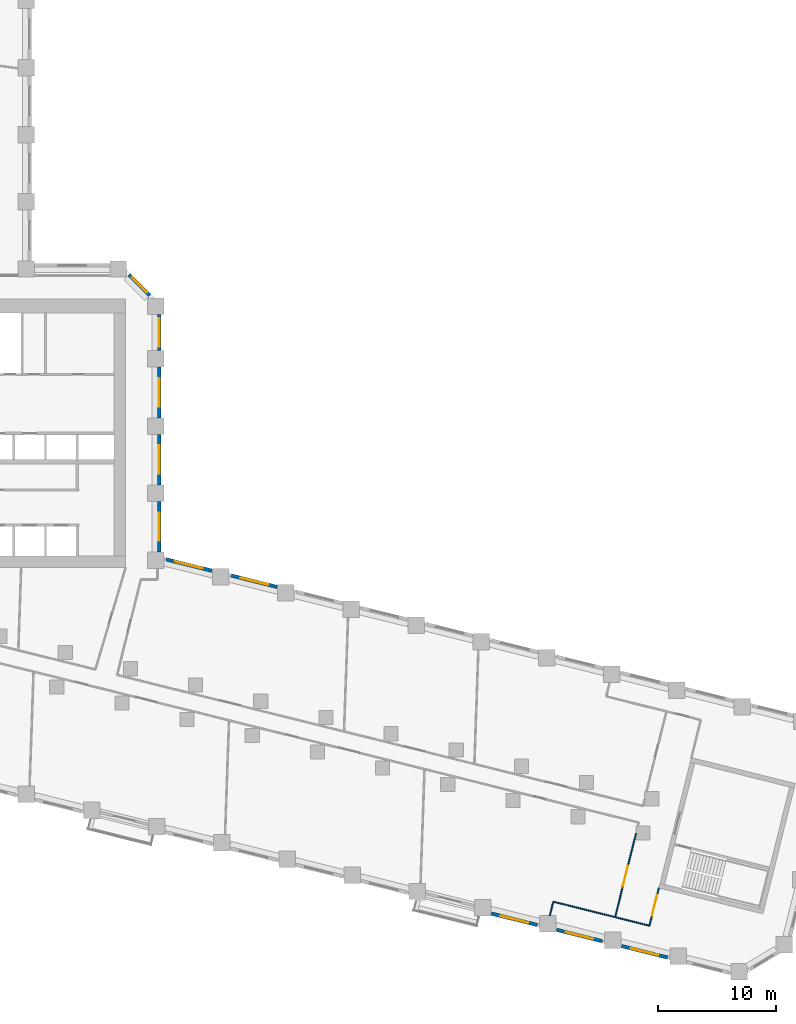
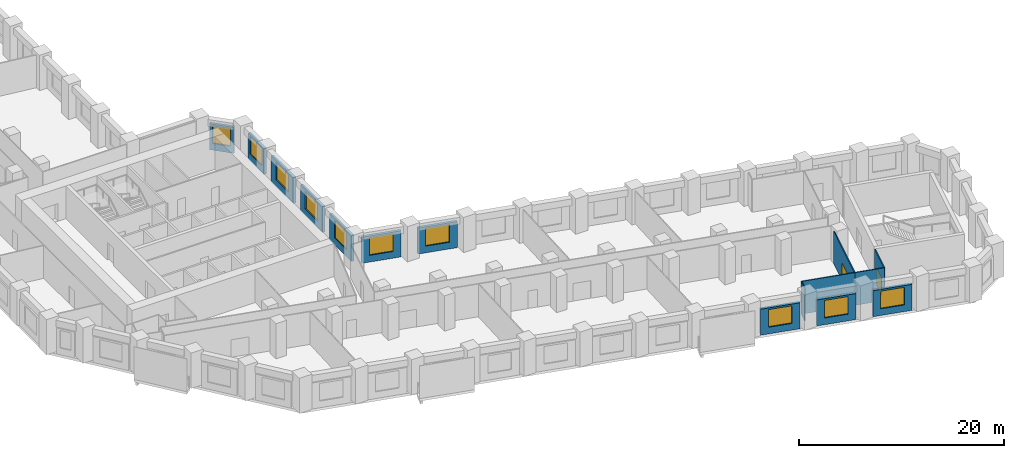
# One storey, part 6 of 11: 15 walls, 10 windows, 2 doors, 12 openings.
"""IFC4 building model written with IfcOpenShell, lengths in metres."""

import ifcopenshell
import ifcopenshell.guid

model = None  # the IFC model being written
_history = None  # IfcOwnerHistory: only IFC2X3 demands one
_inside = {}  # id of a spatial element -> (the spatial element, [elements in it])
_under = {}  # id of a project, library or spatial element -> (it, [spatial elements below it])
_declared = {}  # id of a project -> (the project, [libraries it declares])
_typed = {}  # id of a type object -> (the type object, [elements of that type])
_made_of = {}  # id of a material, layer set ... -> (it, [elements and type objects made of it])


def new_model(schema):
    """Start an empty IFC model of exactly this schema.

    Asked for "IFC4X3", IfcOpenShell would pick the latest addendum, in which some entities
    have other attributes; the version numbers below select the first issue.
    IFC2X3 requires an IfcOwnerHistory on every rooted entity: one is made here for all.
    """
    global model, _history
    if schema == "IFC4X3":
        model = ifcopenshell.file(schema_version=(4, 3, 0, 0))
    else:
        model = ifcopenshell.file(schema=schema)
    _inside.clear()
    _under.clear()
    _declared.clear()
    _typed.clear()
    _made_of.clear()
    _history = None
    if model.schema == "IFC2X3":
        org = make("IfcOrganization", Name="unknown")
        user = make(
            "IfcPersonAndOrganization",
            ThePerson=make("IfcPerson", FamilyName="unknown"),
            TheOrganization=org,
        )
        app = make(
            "IfcApplication",
            ApplicationDeveloper=org,
            Version="unknown",
            ApplicationFullName="unknown",
            ApplicationIdentifier="unknown",
        )
        _history = make(
            "IfcOwnerHistory",
            OwningUser=user,
            OwningApplication=app,
            ChangeAction="ADDED",
            CreationDate=0,
        )
    return model


def make(cls, **values):
    """One entity of the class cls with the attributes given. An attribute that is None is left unset."""
    return model.create_entity(
        cls, **{name: value for name, value in values.items() if value is not None}
    )


def rooted(cls, **values):
    """An entity with a GlobalId (a new one), such as an element, a storey or a relation."""
    return make(cls, GlobalId=ifcopenshell.guid.new(), OwnerHistory=_history, **values)


def si_unit(unit_type, name, prefix=None):
    """IfcSIUnit, for example si_unit("LENGTHUNIT", "METRE", prefix="MILLI")."""
    return make("IfcSIUnit", UnitType=unit_type, Prefix=prefix, Name=name)


def assignment(units):
    """IfcUnitAssignment: the units of a project."""
    return None if units is None else make("IfcUnitAssignment", Units=units)


def point(xyz):
    """IfcCartesianPoint."""
    return None if xyz is None else make("IfcCartesianPoint", Coordinates=xyz)


def direction(xyz):
    """IfcDirection."""
    return None if xyz is None else make("IfcDirection", DirectionRatios=xyz)


def frame(location, z_axis=None, x_axis=None):
    """IfcAxis2Placement3D, a coordinate frame: its origin and axes. An axis left out is left unset."""
    return make(
        "IfcAxis2Placement3D",
        Location=point(location),
        Axis=direction(z_axis),
        RefDirection=direction(x_axis),
    )


def frame_2d(location, x_axis=None):
    """IfcAxis2Placement2D, a coordinate frame in the plane: its origin and x axis."""
    return make(
        "IfcAxis2Placement2D", Location=point(location), RefDirection=direction(x_axis)
    )


def origin():
    """The frame at (0, 0, 0) with its axes left unset."""
    return frame((0.0, 0.0, 0.0))


def place(relative_to, where):
    """IfcLocalPlacement: puts the frame where relative to a parent placement (None: the world)."""
    return make(
        "IfcLocalPlacement", PlacementRelTo=relative_to, RelativePlacement=where
    )


def context(
    kind, dimensions, precision=None, world=None, true_north=None, identifier=None
):
    """IfcGeometricRepresentationContext, for example the 3D "Model" context."""
    return make(
        "IfcGeometricRepresentationContext",
        ContextIdentifier=identifier,
        ContextType=kind,
        CoordinateSpaceDimension=dimensions,
        Precision=precision,
        WorldCoordinateSystem=world,
        TrueNorth=true_north,
    )


def subcontext(parent, identifier, kind, view, scale=None):
    """IfcGeometricRepresentationSubContext, for example "Body" below "Model"."""
    return make(
        "IfcGeometricRepresentationSubContext",
        ContextIdentifier=identifier,
        ContextType=kind,
        ParentContext=parent,
        TargetScale=scale,
        TargetView=view,
    )


def project(units=None, contexts=None):
    """IfcProject with its units and contexts."""
    return rooted(
        "IfcProject",
        Name="project",
        RepresentationContexts=contexts,
        UnitsInContext=assignment(units),
    )


def spatial(cls, under=None, at=None, **own):
    """A site, building, storey or space (cls), placed at a placement, below another one or the project."""
    s = rooted(cls, ObjectPlacement=at, **own)
    if under is not None:
        _under.setdefault(under.id(), (under, []))[1].append(s)
    return s


def profile(cls, at=None, kind="AREA", **sizes):
    """A parametric profile (cls). Its sizes go by their IFC names, for example OverallWidth=200.0."""
    return make(cls, ProfileType=kind, Position=at, **sizes)


def rectangle(**sizes):
    """IfcRectangleProfileDef."""
    return profile("IfcRectangleProfileDef", **sizes)


def extrude(swept, where, along, depth):
    """IfcExtrudedAreaSolid: the profile swept, set in the frame where, extruded along a direction by depth."""
    return make(
        "IfcExtrudedAreaSolid",
        SweptArea=swept,
        Position=where,
        ExtrudedDirection=direction(along),
        Depth=depth,
    )


def shape(context_of_items, identifier, shape_type, items):
    """IfcShapeRepresentation: the items that make up one representation, for example the "Body"."""
    return make(
        "IfcShapeRepresentation",
        ContextOfItems=context_of_items,
        RepresentationIdentifier=identifier,
        RepresentationType=shape_type,
        Items=items,
    )


def material(Name=None, Category=None):
    """IfcMaterial."""
    return make("IfcMaterial", Name=Name, Category=Category)


def layer(
    of_material, thickness, ventilated=None, Name=None, Category=None, Priority=None
):
    """IfcMaterialLayer: one layer of a wall or slab, of a material (None: an air gap)."""
    return make(
        "IfcMaterialLayer",
        Material=of_material,
        LayerThickness=thickness,
        IsVentilated=ventilated,
        Name=Name,
        Category=Category,
        Priority=Priority,
    )


def layer_set(layers, Name=None):
    """IfcMaterialLayerSet."""
    return make("IfcMaterialLayerSet", MaterialLayers=layers, LayerSetName=Name)


def made_of(thing, what):
    """Note that an element or type object is made of a material, layer set ...; save() writes the relation."""
    if what is not None:
        _made_of.setdefault(what.id(), (what, []))[1].append(thing)
    return thing


def type_object(cls, material=None, **own):
    """A type object (cls), such as IfcWallType, which elements share."""
    return made_of(rooted(cls, **own), material)


def element(
    cls,
    number,
    at=None,
    inside=None,
    cuts=None,
    type_object=None,
    material=None,
    context=None,
    identifier="Body",
    shape_type=None,
    held_by="IfcProductDefinitionShape",
    body=None,
    shapes=None,
    **own,
):
    """One element of the class cls, such as IfcWall. Its Tag is "e" and its number.

    at: its placement. inside: the storey or other place that contains it. cuts: it is an
    opening in that element (IfcRelVoidsElement). A single representation is given by context,
    identifier, shape_type and body (its items); several are given by shapes. held_by: the class
    of the entity that holds the representations. save() writes the other relations.
    """
    e = rooted(cls, Tag="e%d" % number, ObjectPlacement=at, **own)
    if body is not None:
        shapes = [shape(context, identifier, shape_type, body)]
    if shapes is not None:
        e.Representation = make(held_by, Representations=shapes)
    if inside is not None:
        _inside.setdefault(inside.id(), (inside, []))[1].append(e)
    if cuts is not None:
        rooted(
            "IfcRelVoidsElement", RelatingBuildingElement=cuts, RelatedOpeningElement=e
        )
    if type_object is not None:
        _typed.setdefault(type_object.id(), (type_object, []))[1].append(e)
    return made_of(e, material)


def fill(opening, filler):
    """IfcRelFillsElement: the door or window that sits in an opening."""
    return rooted(
        "IfcRelFillsElement",
        RelatingOpeningElement=opening,
        RelatedBuildingElement=filler,
    )


def aggregate(whole, parts):
    """IfcRelAggregates: a whole, such as a stair, and the parts it consists of."""
    return rooted("IfcRelAggregates", RelatingObject=whole, RelatedObjects=parts)


def save(model, path):
    """Write the relations noted so far, then the file.

    IfcRelAggregates (storeys below a building ...), IfcRelContainedInSpatialStructure (elements
    in a storey), IfcRelDefinesByType, IfcRelAssociatesMaterial and IfcRelDeclares: one each for
    every whole, place, type object, material and project.
    """
    for whole, parts in _under.values():
        aggregate(whole, parts)
    for where, things in _inside.values():
        rooted(
            "IfcRelContainedInSpatialStructure",
            RelatedElements=things,
            RelatingStructure=where,
        )
    for kind, things in _typed.values():
        rooted("IfcRelDefinesByType", RelatedObjects=things, RelatingType=kind)
    for what, things in _made_of.values():
        rooted("IfcRelAssociatesMaterial", RelatedObjects=things, RelatingMaterial=what)
    for by, libraries in _declared.values():
        rooted("IfcRelDeclares", RelatingContext=by, RelatedDefinitions=libraries)
    model.write(path)


model = new_model("IFC4")

# Units and contexts
model_context = context("Model", 3, precision=1e-05, world=origin(), true_north=direction((0.0, 1.0)))
body_context = subcontext(model_context, "Body", "Model", "MODEL_VIEW")
ifc_project = project(units=[si_unit("LENGTHUNIT", "METRE"), si_unit("AREAUNIT", "SQUARE_METRE"), si_unit("VOLUMEUNIT", "CUBIC_METRE"), si_unit("PLANEANGLEUNIT", "RADIAN"), si_unit("MASSUNIT", "GRAM", prefix="KILO")], contexts=[model_context])

# Site, building, storey
site_placement = place(None, origin())
site = spatial("IfcSite", under=ifc_project, at=site_placement, CompositionType="ELEMENT")
building_placement = place(site_placement, origin())
building = spatial("IfcBuilding", under=site, at=building_placement, Name="Meshkara Civic Tower", CompositionType="ELEMENT")
storey_placement = place(building_placement, frame((0.0, 0.0, 79.199951171875)))
storey = spatial("IfcBuildingStorey", under=building, at=storey_placement, Name="L17", CompositionType="ELEMENT", Elevation=79.199951171875)

# Wall
ifc_material_1 = material(Name="Corridor wall 100")
ifc_layer_1 = layer(ifc_material_1, 0.10009765625)
ifc_layer_set_1 = layer_set([ifc_layer_1], Name="Corridor wall 100")
wall_type_1 = type_object("IfcWallType", Name="Corridor wall 100", PredefinedType="PARTITIONING", material=ifc_layer_set_1)
wall_1_placement = place(storey_placement, frame((72.35302734375, -15.56591796875, 0.0), z_axis=(0.0, 0.0, 1.0), x_axis=(0.970271610033, -0.242018600037, 0.0)))
element("IfcWall", 1, at=wall_1_placement, inside=storey, type_object=wall_type_1, Name="L17-W025", PredefinedType="PARTITIONING", context=body_context, shape_type="SweptSolid", body=[
    extrude(rectangle(XDim=3.0, YDim=0.10009765625, at=frame_2d((1.5, 0.0))), origin(), (0.0, 0.0, 1.0), 3.900146484375),
])

# Wall, opening, door
wall_2_placement = place(storey_placement, frame((74.131103515625, -8.43701171875, 0.0), z_axis=(0.0, 0.0, 1.0), x_axis=(-0.242003930935, -0.970275268886, 0.0)))
wall_2 = element("IfcWall", 2, at=wall_2_placement, inside=storey, type_object=wall_type_1, Name="L17-W026", PredefinedType="PARTITIONING", context=body_context, shape_type="SweptSolid", body=[
    extrude(rectangle(XDim=7.347412109375, YDim=0.10009765625, at=frame_2d((3.673828125, 0.0))), origin(), (0.0, 0.0, 1.0), 3.900146484375),
])
opening_1_placement = place(wall_2_placement, frame((2.8798828125, 0.0, 0.0)))
opening_1 = element("IfcOpeningElement", 3, at=opening_1_placement, cuts=wall_2, Name="Opening L17-D001", PredefinedType="OPENING", context=body_context, shape_type="SweptSolid", body=[
    extrude(rectangle(XDim=1.800048828125, YDim=2.10009765625, at=frame_2d((0.89990234375, 1.050048828125))), frame((0.0, 0.06005859375, 0.0), z_axis=(0.0, -1.0, 0.0), x_axis=(1.0, 0.0, 0.0)), (0.0, 0.0, 1.0), 0.1201171875),
])
ifc_material_2 = material(Name="Door pair 1800 x 2100")
door_type = type_object("IfcDoorType", Name="Door pair 1800 x 2100", OperationType="SINGLE_SWING_LEFT", PredefinedType="DOOR", material=ifc_material_2)
door_1_placement = place(opening_1_placement, origin())
door_1 = element("IfcDoor", 4, at=door_1_placement, inside=storey, type_object=door_type, Name="L17-D001", OperationType="DOUBLE_DOOR_SINGLE_SWING", OverallHeight=2.10009765625, OverallWidth=1.800048828125, PredefinedType="DOOR", context=body_context, shape_type="SweptSolid", body=[
    extrude(rectangle(XDim=1.800048828125, YDim=2.10009765625, at=frame_2d((0.89990234375, 1.050048828125))), frame((0.0, 0.02490234375, 0.0), z_axis=(0.0, -1.0, 0.0), x_axis=(1.0, 0.0, 0.0)), (0.0, 0.0, 1.0), 0.050048828125),
])
fill(opening_1, door_1)

wall_3_placement = place(storey_placement, frame((75.263916015625, -16.2919921875, 0.0), z_axis=(0.0, 0.0, 1.0), x_axis=(0.242135244173, 0.970242507587, 0.0)))
wall_3 = element("IfcWall", 5, at=wall_3_placement, inside=storey, type_object=wall_type_1, Name="L17-W029", PredefinedType="PARTITIONING", context=body_context, shape_type="SweptSolid", body=[
    extrude(rectangle(XDim=3.300048828125, YDim=0.10009765625, at=frame_2d((1.64990234375, 0.0))), origin(), (0.0, 0.0, 1.0), 3.900146484375),
])
opening_2_placement = place(wall_3_placement, frame((0.8798828125, 0.0, 0.0)))
opening_2 = element("IfcOpeningElement", 6, at=opening_2_placement, cuts=wall_3, Name="Opening L17-D002", PredefinedType="OPENING", context=body_context, shape_type="SweptSolid", body=[
    extrude(rectangle(XDim=1.800048828125, YDim=2.10009765625, at=frame_2d((0.89990234375, 1.050048828125))), frame((0.0, 0.06005859375, 0.0), z_axis=(0.0, -1.0, 0.0), x_axis=(1.0, 0.0, 0.0)), (0.0, 0.0, 1.0), 0.1201171875),
])
door_2_placement = place(opening_2_placement, origin())
door_2 = element("IfcDoor", 7, at=door_2_placement, inside=storey, type_object=door_type, Name="L17-D002", OperationType="DOUBLE_DOOR_SINGLE_SWING", OverallHeight=2.10009765625, OverallWidth=1.800048828125, PredefinedType="DOOR", context=body_context, shape_type="SweptSolid", body=[
    extrude(rectangle(XDim=1.800048828125, YDim=2.10009765625, at=frame_2d((0.89990234375, 1.050048828125))), frame((0.0, 0.02490234375, 0.0), z_axis=(0.0, -1.0, 0.0), x_axis=(1.0, 0.0, 0.0)), (0.0, 0.0, 1.0), 0.050048828125),
])
fill(opening_2, door_2)

# Wall, opening, window
ifc_material_3 = material(Name="Insulated infill panel with bronze anodised aluminium cladding", Category="aluminium")
ifc_layer_2 = layer(ifc_material_3, 0.300048828125)
ifc_layer_set_2 = layer_set([ifc_layer_2], Name="EXTERNAL INFILL WALL 300")
wall_type_2 = type_object("IfcWallType", Name="EXTERNAL INFILL WALL 300", PredefinedType="SOLIDWALL", material=ifc_layer_set_2)
wall_4_placement = place(storey_placement, frame((43.659912109375, 12.4580078125, 0.0), z_axis=(0.0, 0.0, 1.0), x_axis=(-0.970300202301, 0.241903942538, 0.0)))
wall_4 = element("IfcWall", 8, at=wall_4_placement, inside=storey, type_object=wall_type_2, Name="External wall", PredefinedType="SOLIDWALL", context=body_context, shape_type="SweptSolid", body=[
    extrude(rectangle(XDim=4.001708984375, YDim=0.300048828125, at=frame_2d((2.0009765625, 0.0))), origin(), (0.0, 0.0, 1.0), 3.10009765625),
])
opening_3_placement = place(wall_4_placement, frame((0.801025390625, 0.0, 0.800048828125)))
opening_3 = element("IfcOpeningElement", 9, at=opening_3_placement, cuts=wall_4, Name="Opening W7", PredefinedType="OPENING", context=body_context, shape_type="SweptSolid", body=[
    extrude(rectangle(XDim=2.39990234375, YDim=2.10009765625, at=frame_2d((1.199951171875, 1.050048828125))), frame((0.0, 0.159912109375, 0.0), z_axis=(0.0, -1.0, 0.0), x_axis=(1.0, 0.0, 0.0)), (0.0, 0.0, 1.0), 0.320068359375),
])
ifc_material_4 = material(Name="Tinted double glazing", Category="glass")
window_type_1 = type_object("IfcWindowType", Name="WINDOW 2400x2100", PartitioningType="DOUBLE_PANEL_VERTICAL", PredefinedType="WINDOW", material=ifc_material_4)
window_1_placement = place(opening_3_placement, origin())
window_1 = element("IfcWindow", 10, at=window_1_placement, inside=storey, type_object=window_type_1, Name="Window", OverallHeight=2.10009765625, OverallWidth=2.39990234375, PartitioningType="DOUBLE_PANEL_VERTICAL", PredefinedType="WINDOW", context=body_context, shape_type="SweptSolid", body=[
    extrude(rectangle(XDim=2.39990234375, YDim=2.10009765625, at=frame_2d((1.199951171875, 1.050048828125))), frame((0.0, 0.030029296875, 0.0), z_axis=(0.0, -1.0, 0.0), x_axis=(1.0, 0.0, 0.0)), (0.0, 0.0, 1.0), 0.06005859375),
])
fill(opening_3, window_1)

wall_5_placement = place(storey_placement, frame((38.1298828125, 13.8369140625, 0.0), z_axis=(0.0, 0.0, 1.0), x_axis=(-0.970314477803, 0.241846674911, 0.0)))
wall_5 = element("IfcWall", 11, at=wall_5_placement, inside=storey, type_object=wall_type_2, Name="External wall", PredefinedType="SOLIDWALL", context=body_context, shape_type="SweptSolid", body=[
    extrude(rectangle(XDim=4.002685546875, YDim=0.300048828125, at=frame_2d((2.00146484375, 0.0))), origin(), (0.0, 0.0, 1.0), 3.10009765625),
])
opening_4_placement = place(wall_5_placement, frame((0.802001953125, 0.0, 0.800048828125)))
opening_4 = element("IfcOpeningElement", 12, at=opening_4_placement, cuts=wall_5, Name="Opening W7", PredefinedType="OPENING", context=body_context, shape_type="SweptSolid", body=[
    extrude(rectangle(XDim=2.39990234375, YDim=2.10009765625, at=frame_2d((1.199951171875, 1.050048828125))), frame((0.0, 0.159912109375, 0.0), z_axis=(0.0, -1.0, 0.0), x_axis=(1.0, 0.0, 0.0)), (0.0, 0.0, 1.0), 0.320068359375),
])
window_2_placement = place(opening_4_placement, origin())
window_2 = element("IfcWindow", 13, at=window_2_placement, inside=storey, type_object=window_type_1, Name="Window", OverallHeight=2.10009765625, OverallWidth=2.39990234375, PartitioningType="DOUBLE_PANEL_VERTICAL", PredefinedType="WINDOW", context=body_context, shape_type="SweptSolid", body=[
    extrude(rectangle(XDim=2.39990234375, YDim=2.10009765625, at=frame_2d((1.199951171875, 1.050048828125))), frame((0.0, 0.030029296875, 0.0), z_axis=(0.0, -1.0, 0.0), x_axis=(1.0, 0.0, 0.0)), (0.0, 0.0, 1.0), 0.06005859375),
])
fill(opening_4, window_2)

wall_6_placement = place(storey_placement, frame((33.64990234375, 15.4189453125, 0.0), z_axis=(0.0, 0.0, 1.0), x_axis=(0.0, 1.0, 0.0)))
wall_6 = element("IfcWall", 14, at=wall_6_placement, inside=storey, type_object=wall_type_2, Name="External wall", PredefinedType="SOLIDWALL", context=body_context, shape_type="SweptSolid", body=[
    extrude(rectangle(XDim=4.300048828125, YDim=0.300048828125, at=frame_2d((2.14990234375, 0.0))), origin(), (0.0, 0.0, 1.0), 3.10009765625),
])
opening_5_placement = place(wall_6_placement, frame((0.949951171875, 0.0, 0.800048828125)))
opening_5 = element("IfcOpeningElement", 15, at=opening_5_placement, cuts=wall_6, Name="Opening W7", PredefinedType="OPENING", context=body_context, shape_type="SweptSolid", body=[
    extrude(rectangle(XDim=2.39990234375, YDim=2.10009765625, at=frame_2d((1.199951171875, 1.050048828125))), frame((0.0, 0.159912109375, 0.0), z_axis=(0.0, -1.0, 0.0), x_axis=(1.0, 0.0, 0.0)), (0.0, 0.0, 1.0), 0.320068359375),
])
window_3_placement = place(opening_5_placement, origin())
window_3 = element("IfcWindow", 16, at=window_3_placement, inside=storey, type_object=window_type_1, Name="Window", OverallHeight=2.10009765625, OverallWidth=2.39990234375, PartitioningType="DOUBLE_PANEL_VERTICAL", PredefinedType="WINDOW", context=body_context, shape_type="SweptSolid", body=[
    extrude(rectangle(XDim=2.39990234375, YDim=2.10009765625, at=frame_2d((1.199951171875, 1.050048828125))), frame((0.0, 0.030029296875, 0.0), z_axis=(0.0, -1.0, 0.0), x_axis=(1.0, 0.0, 0.0)), (0.0, 0.0, 1.0), 0.06005859375),
])
fill(opening_5, window_3)

wall_7_placement = place(storey_placement, frame((33.64990234375, 21.118896484375, 0.0), z_axis=(0.0, 0.0, 1.0), x_axis=(0.0, 1.0, 0.0)))
wall_7 = element("IfcWall", 17, at=wall_7_placement, inside=storey, type_object=wall_type_2, Name="External wall", PredefinedType="SOLIDWALL", context=body_context, shape_type="SweptSolid", body=[
    extrude(rectangle(XDim=4.300048828125, YDim=0.300048828125, at=frame_2d((2.14990234375, 0.0))), origin(), (0.0, 0.0, 1.0), 3.10009765625),
])
opening_6_placement = place(wall_7_placement, frame((0.949951171875, 0.0, 0.800048828125)))
opening_6 = element("IfcOpeningElement", 18, at=opening_6_placement, cuts=wall_7, Name="Opening W7", PredefinedType="OPENING", context=body_context, shape_type="SweptSolid", body=[
    extrude(rectangle(XDim=2.39990234375, YDim=2.10009765625, at=frame_2d((1.199951171875, 1.050048828125))), frame((0.0, 0.159912109375, 0.0), z_axis=(0.0, -1.0, 0.0), x_axis=(1.0, 0.0, 0.0)), (0.0, 0.0, 1.0), 0.320068359375),
])
window_4_placement = place(opening_6_placement, origin())
window_4 = element("IfcWindow", 19, at=window_4_placement, inside=storey, type_object=window_type_1, Name="Window", OverallHeight=2.10009765625, OverallWidth=2.39990234375, PartitioningType="DOUBLE_PANEL_VERTICAL", PredefinedType="WINDOW", context=body_context, shape_type="SweptSolid", body=[
    extrude(rectangle(XDim=2.39990234375, YDim=2.10009765625, at=frame_2d((1.199951171875, 1.050048828125))), frame((0.0, 0.030029296875, 0.0), z_axis=(0.0, -1.0, 0.0), x_axis=(1.0, 0.0, 0.0)), (0.0, 0.0, 1.0), 0.06005859375),
])
fill(opening_6, window_4)

wall_8_placement = place(storey_placement, frame((33.64990234375, 26.819091796875, 0.0), z_axis=(0.0, 0.0, 1.0), x_axis=(0.0, 1.0, 0.0)))
wall_8 = element("IfcWall", 20, at=wall_8_placement, inside=storey, type_object=wall_type_2, Name="External wall", PredefinedType="SOLIDWALL", context=body_context, shape_type="SweptSolid", body=[
    extrude(rectangle(XDim=4.2998046875, YDim=0.300048828125, at=frame_2d((2.14990234375, 0.0))), origin(), (0.0, 0.0, 1.0), 3.10009765625),
])
opening_7_placement = place(wall_8_placement, frame((0.949951171875, 0.0, 0.800048828125)))
opening_7 = element("IfcOpeningElement", 21, at=opening_7_placement, cuts=wall_8, Name="Opening W7", PredefinedType="OPENING", context=body_context, shape_type="SweptSolid", body=[
    extrude(rectangle(XDim=2.39990234375, YDim=2.10009765625, at=frame_2d((1.199951171875, 1.050048828125))), frame((0.0, 0.159912109375, 0.0), z_axis=(0.0, -1.0, 0.0), x_axis=(1.0, 0.0, 0.0)), (0.0, 0.0, 1.0), 0.320068359375),
])
window_5_placement = place(opening_7_placement, origin())
window_5 = element("IfcWindow", 22, at=window_5_placement, inside=storey, type_object=window_type_1, Name="Window", OverallHeight=2.10009765625, OverallWidth=2.39990234375, PartitioningType="DOUBLE_PANEL_VERTICAL", PredefinedType="WINDOW", context=body_context, shape_type="SweptSolid", body=[
    extrude(rectangle(XDim=2.39990234375, YDim=2.10009765625, at=frame_2d((1.199951171875, 1.050048828125))), frame((0.0, 0.030029296875, 0.0), z_axis=(0.0, -1.0, 0.0), x_axis=(1.0, 0.0, 0.0)), (0.0, 0.0, 1.0), 0.06005859375),
])
fill(opening_7, window_5)

wall_9_placement = place(storey_placement, frame((33.64990234375, 32.51904296875, 0.0), z_axis=(0.0, 0.0, 1.0), x_axis=(0.0, 1.0, 0.0)))
wall_9 = element("IfcWall", 23, at=wall_9_placement, inside=storey, type_object=wall_type_2, Name="External wall", PredefinedType="SOLIDWALL", context=body_context, shape_type="SweptSolid", body=[
    extrude(rectangle(XDim=3.074951171875, YDim=0.300048828125, at=frame_2d((1.53759765625, 0.0))), origin(), (0.0, 0.0, 1.0), 3.10009765625),
])
opening_8_placement = place(wall_9_placement, frame((0.337890625, 0.0, 0.800048828125)))
opening_8 = element("IfcOpeningElement", 24, at=opening_8_placement, cuts=wall_9, Name="Opening W7", PredefinedType="OPENING", context=body_context, shape_type="SweptSolid", body=[
    extrude(rectangle(XDim=2.39990234375, YDim=2.10009765625, at=frame_2d((1.199951171875, 1.050048828125))), frame((0.0, 0.159912109375, 0.0), z_axis=(0.0, -1.0, 0.0), x_axis=(1.0, 0.0, 0.0)), (0.0, 0.0, 1.0), 0.320068359375),
])
window_6_placement = place(opening_8_placement, origin())
window_6 = element("IfcWindow", 25, at=window_6_placement, inside=storey, type_object=window_type_1, Name="Window", OverallHeight=2.10009765625, OverallWidth=2.39990234375, PartitioningType="DOUBLE_PANEL_VERTICAL", PredefinedType="WINDOW", context=body_context, shape_type="SweptSolid", body=[
    extrude(rectangle(XDim=2.39990234375, YDim=2.10009765625, at=frame_2d((1.199951171875, 1.050048828125))), frame((0.0, 0.030029296875, 0.0), z_axis=(0.0, -1.0, 0.0), x_axis=(1.0, 0.0, 0.0)), (0.0, 0.0, 1.0), 0.06005859375),
])
fill(opening_8, window_6)

wall_10_placement = place(storey_placement, frame((32.862060546875, 37.2060546875, 0.0), z_axis=(0.0, 0.0, 1.0), x_axis=(-0.707155935319, 0.707057623637, 0.0)))
wall_10 = element("IfcWall", 26, at=wall_10_placement, inside=storey, type_object=wall_type_2, Name="External wall", PredefinedType="SOLIDWALL", context=body_context, shape_type="SweptSolid", body=[
    extrude(rectangle(XDim=2.4833984375, YDim=0.300048828125, at=frame_2d((1.24169921875, 0.0))), origin(), (0.0, 0.0, 1.0), 3.10009765625),
])
opening_9_placement = place(wall_10_placement, frame((0.342041015625, 0.0, 0.800048828125)))
opening_9 = element("IfcOpeningElement", 27, at=opening_9_placement, cuts=wall_10, Name="Opening W9", PredefinedType="OPENING", context=body_context, shape_type="SweptSolid", body=[
    extrude(rectangle(XDim=1.800048828125, YDim=2.10009765625, at=frame_2d((0.89990234375, 1.050048828125))), frame((0.0, 0.159912109375, 0.0), z_axis=(0.0, -1.0, 0.0), x_axis=(1.0, 0.0, 0.0)), (0.0, 0.0, 1.0), 0.320068359375),
])
ifc_material_5 = material(Name="Tinted double glazing", Category="glass")
window_type_2 = type_object("IfcWindowType", Name="WINDOW 1800x2100", PartitioningType="DOUBLE_PANEL_VERTICAL", PredefinedType="WINDOW", material=ifc_material_5)
window_7_placement = place(opening_9_placement, origin())
window_7 = element("IfcWindow", 28, at=window_7_placement, inside=storey, type_object=window_type_2, Name="Window", OverallHeight=2.10009765625, OverallWidth=1.800048828125, PartitioningType="DOUBLE_PANEL_VERTICAL", PredefinedType="WINDOW", context=body_context, shape_type="SweptSolid", body=[
    extrude(rectangle(XDim=1.800048828125, YDim=2.10009765625, at=frame_2d((0.89990234375, 1.050048828125))), frame((0.0, 0.030029296875, 0.0), z_axis=(0.0, -1.0, 0.0), x_axis=(1.0, 0.0, 0.0)), (0.0, 0.0, 1.0), 0.06005859375),
])
fill(opening_9, window_7)

wall_11_placement = place(storey_placement, frame((61.847900390625, -15.26611328125, 0.0), z_axis=(0.0, 0.0, 1.0), x_axis=(0.970318089187, -0.241832185196, 0.0)))
wall_11 = element("IfcWall", 29, at=wall_11_placement, inside=storey, type_object=wall_type_2, Name="External wall", PredefinedType="SOLIDWALL", context=body_context, shape_type="SweptSolid", body=[
    extrude(rectangle(XDim=4.001953125, YDim=0.300048828125, at=frame_2d((2.0009765625, 0.0))), origin(), (0.0, 0.0, 1.0), 3.10009765625),
])
opening_10_placement = place(wall_11_placement, frame((0.801025390625, 0.0, 0.800048828125)))
opening_10 = element("IfcOpeningElement", 30, at=opening_10_placement, cuts=wall_11, Name="Opening W7", PredefinedType="OPENING", context=body_context, shape_type="SweptSolid", body=[
    extrude(rectangle(XDim=2.39990234375, YDim=2.10009765625, at=frame_2d((1.199951171875, 1.050048828125))), frame((0.0, 0.159912109375, 0.0), z_axis=(0.0, -1.0, 0.0), x_axis=(1.0, 0.0, 0.0)), (0.0, 0.0, 1.0), 0.320068359375),
])
window_8_placement = place(opening_10_placement, origin())
window_8 = element("IfcWindow", 31, at=window_8_placement, inside=storey, type_object=window_type_1, Name="Window", OverallHeight=2.10009765625, OverallWidth=2.39990234375, PartitioningType="DOUBLE_PANEL_VERTICAL", PredefinedType="WINDOW", context=body_context, shape_type="SweptSolid", body=[
    extrude(rectangle(XDim=2.39990234375, YDim=2.10009765625, at=frame_2d((1.199951171875, 1.050048828125))), frame((0.0, 0.030029296875, 0.0), z_axis=(0.0, -1.0, 0.0), x_axis=(1.0, 0.0, 0.0)), (0.0, 0.0, 1.0), 0.06005859375),
])
fill(opening_10, window_8)

wall_12_placement = place(storey_placement, frame((67.3779296875, -16.64404296875, 0.0), z_axis=(0.0, 0.0, 1.0), x_axis=(0.970260773365, -0.242062040951, 0.0)))
wall_12 = element("IfcWall", 32, at=wall_12_placement, inside=storey, type_object=wall_type_2, Name="External wall", PredefinedType="SOLIDWALL", context=body_context, shape_type="SweptSolid", body=[
    extrude(rectangle(XDim=4.003173828125, YDim=0.300048828125, at=frame_2d((2.00146484375, 0.0))), origin(), (0.0, 0.0, 1.0), 3.10009765625),
])
opening_11_placement = place(wall_12_placement, frame((0.802001953125, 0.0, 0.800048828125)))
opening_11 = element("IfcOpeningElement", 33, at=opening_11_placement, cuts=wall_12, Name="Opening W7", PredefinedType="OPENING", context=body_context, shape_type="SweptSolid", body=[
    extrude(rectangle(XDim=2.39990234375, YDim=2.10009765625, at=frame_2d((1.199951171875, 1.050048828125))), frame((0.0, 0.159912109375, 0.0), z_axis=(0.0, -1.0, 0.0), x_axis=(1.0, 0.0, 0.0)), (0.0, 0.0, 1.0), 0.320068359375),
])
window_9_placement = place(opening_11_placement, origin())
window_9 = element("IfcWindow", 34, at=window_9_placement, inside=storey, type_object=window_type_1, Name="Window", OverallHeight=2.10009765625, OverallWidth=2.39990234375, PartitioningType="DOUBLE_PANEL_VERTICAL", PredefinedType="WINDOW", context=body_context, shape_type="SweptSolid", body=[
    extrude(rectangle(XDim=2.39990234375, YDim=2.10009765625, at=frame_2d((1.199951171875, 1.050048828125))), frame((0.0, 0.030029296875, 0.0), z_axis=(0.0, -1.0, 0.0), x_axis=(1.0, 0.0, 0.0)), (0.0, 0.0, 1.0), 0.06005859375),
])
fill(opening_11, window_9)

wall_13_placement = place(storey_placement, frame((72.908935546875, -18.02294921875, 0.0), z_axis=(0.0, 0.0, 1.0), x_axis=(0.970260773365, -0.242062040951, 0.0)))
wall_13 = element("IfcWall", 35, at=wall_13_placement, inside=storey, type_object=wall_type_2, Name="External wall", PredefinedType="SOLIDWALL", context=body_context, shape_type="SweptSolid", body=[
    extrude(rectangle(XDim=4.003173828125, YDim=0.300048828125, at=frame_2d((2.00146484375, 0.0))), origin(), (0.0, 0.0, 1.0), 3.10009765625),
])
opening_12_placement = place(wall_13_placement, frame((0.802001953125, 0.0, 0.800048828125)))
opening_12 = element("IfcOpeningElement", 36, at=opening_12_placement, cuts=wall_13, Name="Opening W7", PredefinedType="OPENING", context=body_context, shape_type="SweptSolid", body=[
    extrude(rectangle(XDim=2.39990234375, YDim=2.10009765625, at=frame_2d((1.199951171875, 1.050048828125))), frame((0.0, 0.159912109375, 0.0), z_axis=(0.0, -1.0, 0.0), x_axis=(1.0, 0.0, 0.0)), (0.0, 0.0, 1.0), 0.320068359375),
])
window_10_placement = place(opening_12_placement, origin())
window_10 = element("IfcWindow", 37, at=window_10_placement, inside=storey, type_object=window_type_1, Name="Window", OverallHeight=2.10009765625, OverallWidth=2.39990234375, PartitioningType="DOUBLE_PANEL_VERTICAL", PredefinedType="WINDOW", context=body_context, shape_type="SweptSolid", body=[
    extrude(rectangle(XDim=2.39990234375, YDim=2.10009765625, at=frame_2d((1.199951171875, 1.050048828125))), frame((0.0, 0.030029296875, 0.0), z_axis=(0.0, -1.0, 0.0), x_axis=(1.0, 0.0, 0.0)), (0.0, 0.0, 1.0), 0.06005859375),
])
fill(opening_12, window_10)

# Walls
ifc_material_6 = material(Name="Partition 100")
ifc_layer_3 = layer(ifc_material_6, 0.10009765625)
ifc_layer_set_3 = layer_set([ifc_layer_3], Name="Partition 100")
wall_type_3 = type_object("IfcWallType", Name="Partition 100", PredefinedType="PARTITIONING", material=ifc_layer_set_3)
wall_14_placement = place(storey_placement, frame((66.802001953125, -15.447998046875, 0.0), z_axis=(0.0, 0.0, 1.0), x_axis=(0.241880858218, 0.970305957123, 0.0)))
element("IfcWall", 38, at=wall_14_placement, inside=storey, type_object=wall_type_3, Name="L17-W051", PredefinedType="PARTITIONING", context=body_context, shape_type="SweptSolid", body=[
    extrude(rectangle(XDim=1.228271484375, YDim=0.10009765625, at=frame_2d((0.6142578125, 0.0))), origin(), (0.0, 0.0, 1.0), 3.900146484375),
])
wall_15_placement = place(storey_placement, frame((67.09912109375, -14.256103515625, 0.0), z_axis=(0.0, 0.0, 1.0), x_axis=(0.970301308755, -0.241899504398, 0.0)))
element("IfcWall", 39, at=wall_15_placement, inside=storey, type_object=wall_type_3, Name="L17-W052", PredefinedType="PARTITIONING", context=body_context, shape_type="SweptSolid", body=[
    extrude(rectangle(XDim=5.418701171875, YDim=0.10009765625, at=frame_2d((2.70947265625, 0.0))), origin(), (0.0, 0.0, 1.0), 3.900146484375),
])

save(model, "model.ifc")
